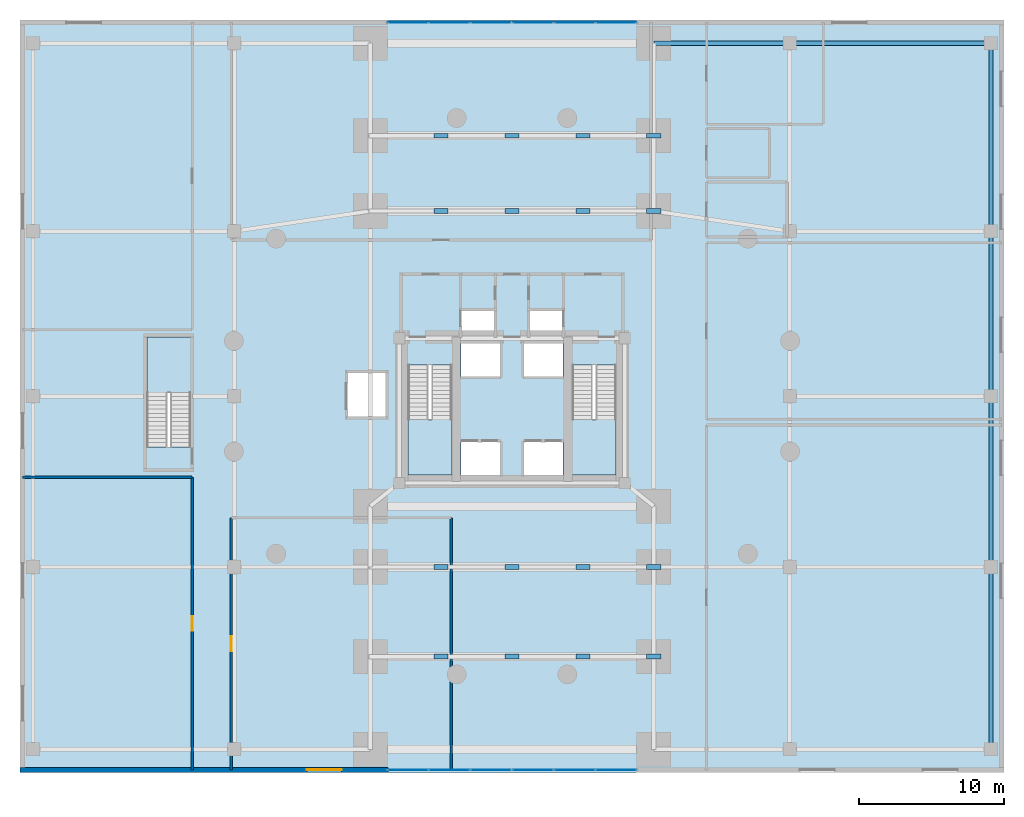
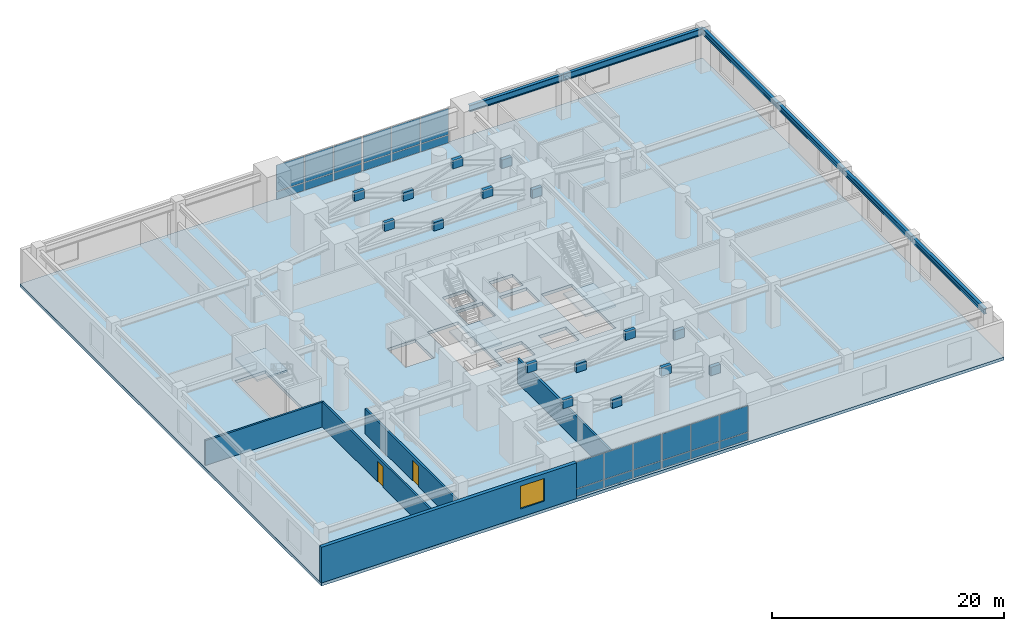
# One storey, part 13 of 17: 40 plates, 6 beams, 5 walls, 4 slabs, 2 doors, 1 window, 3 openings, 7 elements without a shape of their own.
"""IFC4 building model written with IfcOpenShell, lengths in metres."""

import ifcopenshell
import ifcopenshell.guid

model = None  # the IFC model being written
_history = None  # IfcOwnerHistory: only IFC2X3 demands one
_inside = {}  # id of a spatial element -> (the spatial element, [elements in it])
_under = {}  # id of a project, library or spatial element -> (it, [spatial elements below it])
_declared = {}  # id of a project -> (the project, [libraries it declares])
_typed = {}  # id of a type object -> (the type object, [elements of that type])
_made_of = {}  # id of a material, layer set ... -> (it, [elements and type objects made of it])


def new_model(schema):
    """Start an empty IFC model of exactly this schema.

    Asked for "IFC4X3", IfcOpenShell would pick the latest addendum, in which some entities
    have other attributes; the version numbers below select the first issue.
    IFC2X3 requires an IfcOwnerHistory on every rooted entity: one is made here for all.
    """
    global model, _history
    if schema == "IFC4X3":
        model = ifcopenshell.file(schema_version=(4, 3, 0, 0))
    else:
        model = ifcopenshell.file(schema=schema)
    _inside.clear()
    _under.clear()
    _declared.clear()
    _typed.clear()
    _made_of.clear()
    _history = None
    if model.schema == "IFC2X3":
        org = make("IfcOrganization", Name="unknown")
        user = make(
            "IfcPersonAndOrganization",
            ThePerson=make("IfcPerson", FamilyName="unknown"),
            TheOrganization=org,
        )
        app = make(
            "IfcApplication",
            ApplicationDeveloper=org,
            Version="unknown",
            ApplicationFullName="unknown",
            ApplicationIdentifier="unknown",
        )
        _history = make(
            "IfcOwnerHistory",
            OwningUser=user,
            OwningApplication=app,
            ChangeAction="ADDED",
            CreationDate=0,
        )
    return model


def make(cls, **values):
    """One entity of the class cls with the attributes given. An attribute that is None is left unset."""
    return model.create_entity(
        cls, **{name: value for name, value in values.items() if value is not None}
    )


def rooted(cls, **values):
    """An entity with a GlobalId (a new one), such as an element, a storey or a relation."""
    return make(cls, GlobalId=ifcopenshell.guid.new(), OwnerHistory=_history, **values)


def si_unit(unit_type, name, prefix=None):
    """IfcSIUnit, for example si_unit("LENGTHUNIT", "METRE", prefix="MILLI")."""
    return make("IfcSIUnit", UnitType=unit_type, Prefix=prefix, Name=name)


def assignment(units):
    """IfcUnitAssignment: the units of a project."""
    return None if units is None else make("IfcUnitAssignment", Units=units)


def point(xyz):
    """IfcCartesianPoint."""
    return None if xyz is None else make("IfcCartesianPoint", Coordinates=xyz)


def direction(xyz):
    """IfcDirection."""
    return None if xyz is None else make("IfcDirection", DirectionRatios=xyz)


def frame(location, z_axis=None, x_axis=None):
    """IfcAxis2Placement3D, a coordinate frame: its origin and axes. An axis left out is left unset."""
    return make(
        "IfcAxis2Placement3D",
        Location=point(location),
        Axis=direction(z_axis),
        RefDirection=direction(x_axis),
    )


def frame_2d(location, x_axis=None):
    """IfcAxis2Placement2D, a coordinate frame in the plane: its origin and x axis."""
    return make(
        "IfcAxis2Placement2D", Location=point(location), RefDirection=direction(x_axis)
    )


def origin():
    """The frame at (0, 0, 0) with its axes left unset."""
    return frame((0.0, 0.0, 0.0))


def origin_2d():
    """The frame at (0, 0) in the plane with its x axis left unset."""
    return frame_2d((0.0, 0.0))


def place(relative_to, where):
    """IfcLocalPlacement: puts the frame where relative to a parent placement (None: the world)."""
    return make(
        "IfcLocalPlacement", PlacementRelTo=relative_to, RelativePlacement=where
    )


def context(
    kind, dimensions, precision=None, world=None, true_north=None, identifier=None
):
    """IfcGeometricRepresentationContext, for example the 3D "Model" context."""
    return make(
        "IfcGeometricRepresentationContext",
        ContextIdentifier=identifier,
        ContextType=kind,
        CoordinateSpaceDimension=dimensions,
        Precision=precision,
        WorldCoordinateSystem=world,
        TrueNorth=true_north,
    )


def subcontext(parent, identifier, kind, view, scale=None):
    """IfcGeometricRepresentationSubContext, for example "Body" below "Model"."""
    return make(
        "IfcGeometricRepresentationSubContext",
        ContextIdentifier=identifier,
        ContextType=kind,
        ParentContext=parent,
        TargetScale=scale,
        TargetView=view,
    )


def project(units=None, contexts=None):
    """IfcProject with its units and contexts."""
    return rooted(
        "IfcProject",
        Name="project",
        RepresentationContexts=contexts,
        UnitsInContext=assignment(units),
    )


def spatial(cls, under=None, at=None, **own):
    """A site, building, storey or space (cls), placed at a placement, below another one or the project."""
    s = rooted(cls, ObjectPlacement=at, **own)
    if under is not None:
        _under.setdefault(under.id(), (under, []))[1].append(s)
    return s


def polyline(points):
    """IfcPolyline through the points."""
    return make("IfcPolyline", Points=[point(p) for p in points])


def profile(cls, at=None, kind="AREA", **sizes):
    """A parametric profile (cls). Its sizes go by their IFC names, for example OverallWidth=200.0."""
    return make(cls, ProfileType=kind, Position=at, **sizes)


def rectangle(**sizes):
    """IfcRectangleProfileDef."""
    return profile("IfcRectangleProfileDef", **sizes)


def i_section(**sizes):
    """IfcIShapeProfileDef."""
    return profile("IfcIShapeProfileDef", **sizes)


def outline(outer, holes=None, kind="AREA"):
    """IfcArbitraryClosedProfileDef: a profile drawn as a closed curve; with holes, ...WithVoids."""
    if holes is None:
        return make("IfcArbitraryClosedProfileDef", ProfileType=kind, OuterCurve=outer)
    return make(
        "IfcArbitraryProfileDefWithVoids",
        ProfileType=kind,
        OuterCurve=outer,
        InnerCurves=holes,
    )


def extrude(swept, where, along, depth):
    """IfcExtrudedAreaSolid: the profile swept, set in the frame where, extruded along a direction by depth."""
    return make(
        "IfcExtrudedAreaSolid",
        SweptArea=swept,
        Position=where,
        ExtrudedDirection=direction(along),
        Depth=depth,
    )


def shape(context_of_items, identifier, shape_type, items):
    """IfcShapeRepresentation: the items that make up one representation, for example the "Body"."""
    return make(
        "IfcShapeRepresentation",
        ContextOfItems=context_of_items,
        RepresentationIdentifier=identifier,
        RepresentationType=shape_type,
        Items=items,
    )


def material(Name=None, Category=None):
    """IfcMaterial."""
    return make("IfcMaterial", Name=Name, Category=Category)


def layer(
    of_material, thickness, ventilated=None, Name=None, Category=None, Priority=None
):
    """IfcMaterialLayer: one layer of a wall or slab, of a material (None: an air gap)."""
    return make(
        "IfcMaterialLayer",
        Material=of_material,
        LayerThickness=thickness,
        IsVentilated=ventilated,
        Name=Name,
        Category=Category,
        Priority=Priority,
    )


def layer_set(layers, Name=None):
    """IfcMaterialLayerSet."""
    return make("IfcMaterialLayerSet", MaterialLayers=layers, LayerSetName=Name)


def material_profile(
    of_material, cross_section, Name=None, Category=None, Priority=None
):
    """IfcMaterialProfile: a cross section and its material."""
    return make(
        "IfcMaterialProfile",
        Name=Name,
        Material=of_material,
        Profile=cross_section,
        Priority=Priority,
        Category=Category,
    )


def profile_set(profiles, Name=None, composite=None):
    """IfcMaterialProfileSet."""
    return make(
        "IfcMaterialProfileSet",
        Name=Name,
        MaterialProfiles=profiles,
        CompositeProfile=composite,
    )


def made_of(thing, what):
    """Note that an element or type object is made of a material, layer set ...; save() writes the relation."""
    if what is not None:
        _made_of.setdefault(what.id(), (what, []))[1].append(thing)
    return thing


def type_object(cls, material=None, **own):
    """A type object (cls), such as IfcWallType, which elements share."""
    return made_of(rooted(cls, **own), material)


def element(
    cls,
    number,
    at=None,
    inside=None,
    cuts=None,
    type_object=None,
    material=None,
    context=None,
    identifier="Body",
    shape_type=None,
    held_by="IfcProductDefinitionShape",
    body=None,
    shapes=None,
    **own,
):
    """One element of the class cls, such as IfcWall. Its Tag is "e" and its number.

    at: its placement. inside: the storey or other place that contains it. cuts: it is an
    opening in that element (IfcRelVoidsElement). A single representation is given by context,
    identifier, shape_type and body (its items); several are given by shapes. held_by: the class
    of the entity that holds the representations. save() writes the other relations.
    """
    e = rooted(cls, Tag="e%d" % number, ObjectPlacement=at, **own)
    if body is not None:
        shapes = [shape(context, identifier, shape_type, body)]
    if shapes is not None:
        e.Representation = make(held_by, Representations=shapes)
    if inside is not None:
        _inside.setdefault(inside.id(), (inside, []))[1].append(e)
    if cuts is not None:
        rooted(
            "IfcRelVoidsElement", RelatingBuildingElement=cuts, RelatedOpeningElement=e
        )
    if type_object is not None:
        _typed.setdefault(type_object.id(), (type_object, []))[1].append(e)
    return made_of(e, material)


def fill(opening, filler):
    """IfcRelFillsElement: the door or window that sits in an opening."""
    return rooted(
        "IfcRelFillsElement",
        RelatingOpeningElement=opening,
        RelatedBuildingElement=filler,
    )


def aggregate(whole, parts):
    """IfcRelAggregates: a whole, such as a stair, and the parts it consists of."""
    return rooted("IfcRelAggregates", RelatingObject=whole, RelatedObjects=parts)


def save(model, path):
    """Write the relations noted so far, then the file.

    IfcRelAggregates (storeys below a building ...), IfcRelContainedInSpatialStructure (elements
    in a storey), IfcRelDefinesByType, IfcRelAssociatesMaterial and IfcRelDeclares: one each for
    every whole, place, type object, material and project.
    """
    for whole, parts in _under.values():
        aggregate(whole, parts)
    for where, things in _inside.values():
        rooted(
            "IfcRelContainedInSpatialStructure",
            RelatedElements=things,
            RelatingStructure=where,
        )
    for kind, things in _typed.values():
        rooted("IfcRelDefinesByType", RelatedObjects=things, RelatingType=kind)
    for what, things in _made_of.values():
        rooted("IfcRelAssociatesMaterial", RelatedObjects=things, RelatingMaterial=what)
    for by, libraries in _declared.values():
        rooted("IfcRelDeclares", RelatingContext=by, RelatedDefinitions=libraries)
    model.write(path)


model = new_model("IFC4")

# Units and contexts
model_context = context("Model", 3, precision=1e-05, world=origin(), true_north=direction((0.0, 1.0)))
body_context = subcontext(model_context, "Body", "Model", "MODEL_VIEW")
ifc_project = project(units=[si_unit("LENGTHUNIT", "METRE"), si_unit("AREAUNIT", "SQUARE_METRE"), si_unit("VOLUMEUNIT", "CUBIC_METRE"), si_unit("PLANEANGLEUNIT", "RADIAN"), si_unit("MASSUNIT", "GRAM", prefix="KILO"), si_unit("THERMODYNAMICTEMPERATUREUNIT", "KELVIN"), si_unit("POWERUNIT", "WATT")], contexts=[model_context])

# Site, building, storey
site_placement = place(None, origin())
site = spatial("IfcSite", under=ifc_project, at=site_placement, CompositionType="ELEMENT")
building_placement = place(site_placement, origin())
building = spatial("IfcBuilding", under=site, at=building_placement, Name="Ocrelia Relay Tower", CompositionType="ELEMENT")
storey_placement = place(building_placement, frame((0.0, 0.0, 15.60009765625)))
storey = spatial("IfcBuildingStorey", under=building, at=storey_placement, Name="L03", CompositionType="ELEMENT", Elevation=15.60009765625)

# Beams
ifc_material_1 = material(Name="Steel S355", Category="steel")
ifc_material_profile_1 = material_profile(ifc_material_1, i_section(OverallWidth=0.300048828125, OverallDepth=0.60009765625, WebThickness=0.015380859375, FlangeThickness=0.030029296875, FilletRadius=0.027099609375, at=origin_2d()), Name="HEB 600")
ifc_profile_set_1 = profile_set([ifc_material_profile_1], Name="Steel S355")
beam_type_1 = type_object("IfcBeamType", Name="BM-HEB600", PredefinedType="BEAM", material=ifc_profile_set_1)
beam_1_placement = place(storey_placement, frame((67.10009765625, 1.60009765625, 4.179931640625), z_axis=(0.0, 1.0, 0.0), x_axis=(-1.0, 0.0, 0.0)))
element("IfcBeam", 1, at=beam_1_placement, inside=storey, type_object=beam_type_1, Name="L03 Podium Span Girder E-1", PredefinedType="BEAM", context=body_context, shape_type="SweptSolid", body=[
    extrude(i_section(OverallWidth=0.300048828125, OverallDepth=0.60009765625, WebThickness=0.015380859375, FlangeThickness=0.030029296875, FilletRadius=0.027099609375, at=origin_2d()), origin(), (0.0, 0.0, 1.0), 12.599853515625),
])
beam_2_placement = place(storey_placement, frame((67.10009765625, 14.199951171875, 4.179931640625), z_axis=(0.0, 1.0, 0.0), x_axis=(-1.0, 0.0, 0.0)))
element("IfcBeam", 2, at=beam_2_placement, inside=storey, type_object=beam_type_1, Name="L03 Podium Span Girder E-2", PredefinedType="BEAM", context=body_context, shape_type="SweptSolid", body=[
    extrude(i_section(OverallWidth=0.300048828125, OverallDepth=0.60009765625, WebThickness=0.015380859375, FlangeThickness=0.030029296875, FilletRadius=0.027099609375, at=origin_2d()), origin(), (0.0, 0.0, 1.0), 11.800048828125),
])
beam_3_placement = place(storey_placement, frame((67.10009765625, 26.0, 4.179931640625), z_axis=(0.0, 1.0, 0.0), x_axis=(-1.0, 0.0, 0.0)))
element("IfcBeam", 3, at=beam_3_placement, inside=storey, type_object=beam_type_1, Name="L03 Podium Span Girder E-3", PredefinedType="BEAM", context=body_context, shape_type="SweptSolid", body=[
    extrude(i_section(OverallWidth=0.300048828125, OverallDepth=0.60009765625, WebThickness=0.015380859375, FlangeThickness=0.030029296875, FilletRadius=0.027099609375, at=origin_2d()), origin(), (0.0, 0.0, 1.0), 11.39990234375),
])
beam_4_placement = place(storey_placement, frame((67.10009765625, 37.39990234375, 4.179931640625), z_axis=(0.0, 1.0, 0.0), x_axis=(-1.0, 0.0, 0.0)))
element("IfcBeam", 4, at=beam_4_placement, inside=storey, type_object=beam_type_1, Name="L03 Podium Span Girder E-4", PredefinedType="BEAM", context=body_context, shape_type="SweptSolid", body=[
    extrude(i_section(OverallWidth=0.300048828125, OverallDepth=0.60009765625, WebThickness=0.015380859375, FlangeThickness=0.030029296875, FilletRadius=0.027099609375, at=origin_2d()), origin(), (0.0, 0.0, 1.0), 13.0),
])
ifc_material_profile_2 = material_profile(ifc_material_1, i_section(OverallWidth=0.300048828125, OverallDepth=0.699951171875, WebThickness=0.01708984375, FlangeThickness=0.031982421875, FilletRadius=0.027099609375, at=origin_2d()), Name="HEB 700")
ifc_profile_set_2 = profile_set([ifc_material_profile_2], Name="Steel S355")
beam_type_2 = type_object("IfcBeamType", Name="BM-HEB700", PredefinedType="BEAM", material=ifc_profile_set_2)
beam_5_placement = place(storey_placement, frame((43.800048828125, 50.39990234375, 4.1298828125), z_axis=(1.0, 0.0, 0.0), x_axis=(0.0, 1.0, 0.0)))
element("IfcBeam", 5, at=beam_5_placement, inside=storey, type_object=beam_type_2, Name="L03 East Inner Podium Girder N", PredefinedType="BEAM", context=body_context, shape_type="SweptSolid", body=[
    extrude(i_section(OverallWidth=0.300048828125, OverallDepth=0.699951171875, WebThickness=0.01708984375, FlangeThickness=0.031982421875, FilletRadius=0.027099609375, at=origin_2d()), origin(), (0.0, 0.0, 1.0), 9.39990234375),
])
beam_6_placement = place(storey_placement, frame((53.199951171875, 50.39990234375, 4.1298828125), z_axis=(1.0, 0.0, 0.0), x_axis=(0.0, 1.0, 0.0)))
element("IfcBeam", 6, at=beam_6_placement, inside=storey, type_object=beam_type_2, Name="L03 East Outer Podium Girder N", PredefinedType="BEAM", context=body_context, shape_type="SweptSolid", body=[
    extrude(i_section(OverallWidth=0.300048828125, OverallDepth=0.699951171875, WebThickness=0.01708984375, FlangeThickness=0.031982421875, FilletRadius=0.027099609375, at=origin_2d()), origin(), (0.0, 0.0, 1.0), 13.900146484375),
])

# Curtain wall, plates
ifc_material_2 = material(Name="Aluminium and solar-control low-E glass", Category="aluminium")
ifc_layer_1 = layer(ifc_material_2, 0.179931640625, Name="Aluminium and solar-control low-E glass")
ifc_layer_set_1 = layer_set([ifc_layer_1], Name="Aluminium and solar-control low-E glass")
curtain_wall_type = type_object("IfcCurtainWallType", Name="CW-SYS-POD-GALL", PredefinedType="NOTDEFINED", material=ifc_layer_set_1)
curtain_wall_1_placement = place(storey_placement, origin())
curtain_wall_1 = element("IfcCurtainWall", 7, at=curtain_wall_1_placement, inside=storey, type_object=curtain_wall_type, Name="L03 South Over-Arch Curtain Wall West", PredefinedType="NOTDEFINED")
ifc_material_3 = material(Name="Clear double-glazed low-E glass", Category="glass")
ifc_layer_2 = layer(ifc_material_3, 0.031982421875, Name="Clear double-glazed low-E glass")
ifc_layer_set_2 = layer_set([ifc_layer_2], Name="Clear double-glazed low-E glass")
plate_type_1 = type_object("IfcPlateType", Name="CW-SYS-POD-GALL-PNL", PredefinedType="CURTAIN_PANEL", material=ifc_layer_set_2)
plate_1_placement = place(storey_placement, frame((26.80908203125, 0.179931640625, 0.06494140625), z_axis=(0.0, 0.0, 1.0), x_axis=(1.0, 0.0, 0.0)))
plate_1 = element("IfcPlate", 8, at=plate_1_placement, type_object=plate_type_1, Name="CW-PG panel 1.1", PredefinedType="CURTAIN_PANEL", context=body_context, shape_type="SweptSolid", body=[
    extrude(rectangle(XDim=2.7783203125, YDim=0.031982421875, at=origin_2d()), origin(), (0.0, 0.0, 1.0), 0.802490234375),
])
plate_2_placement = place(storey_placement, frame((26.80908203125, 0.179931640625, 0.9326171875), z_axis=(0.0, 0.0, 1.0), x_axis=(1.0, 0.0, 0.0)))
plate_2 = element("IfcPlate", 9, at=plate_2_placement, type_object=plate_type_1, Name="CW-PG panel 1.2", PredefinedType="CURTAIN_PANEL", context=body_context, shape_type="SweptSolid", body=[
    extrude(rectangle(XDim=2.7783203125, YDim=0.031982421875, at=origin_2d()), origin(), (0.0, 0.0, 1.0), 2.762451171875),
])
plate_3_placement = place(storey_placement, frame((29.675048828125, 0.179931640625, 0.06494140625), z_axis=(0.0, 0.0, 1.0), x_axis=(1.0, 0.0, 0.0)))
plate_3 = element("IfcPlate", 10, at=plate_3_placement, type_object=plate_type_1, Name="CW-PG panel 2.1", PredefinedType="CURTAIN_PANEL", context=body_context, shape_type="SweptSolid", body=[
    extrude(rectangle(XDim=2.813232421875, YDim=0.031982421875, at=origin_2d()), origin(), (0.0, 0.0, 1.0), 0.802490234375),
])
plate_4_placement = place(storey_placement, frame((29.675048828125, 0.179931640625, 0.9326171875), z_axis=(0.0, 0.0, 1.0), x_axis=(1.0, 0.0, 0.0)))
plate_4 = element("IfcPlate", 11, at=plate_4_placement, type_object=plate_type_1, Name="CW-PG panel 2.2", PredefinedType="CURTAIN_PANEL", context=body_context, shape_type="SweptSolid", body=[
    extrude(rectangle(XDim=2.813232421875, YDim=0.031982421875, at=origin_2d()), origin(), (0.0, 0.0, 1.0), 2.762451171875),
])
plate_5_placement = place(storey_placement, frame((32.540771484375, 0.179931640625, 0.06494140625), z_axis=(0.0, 0.0, 1.0), x_axis=(1.0, 0.0, 0.0)))
plate_5 = element("IfcPlate", 12, at=plate_5_placement, type_object=plate_type_1, Name="CW-PG panel 3.1", PredefinedType="CURTAIN_PANEL", context=body_context, shape_type="SweptSolid", body=[
    extrude(rectangle(XDim=2.7783203125, YDim=0.031982421875, at=origin_2d()), origin(), (0.0, 0.0, 1.0), 0.802490234375),
])
plate_6_placement = place(storey_placement, frame((32.540771484375, 0.179931640625, 0.9326171875), z_axis=(0.0, 0.0, 1.0), x_axis=(1.0, 0.0, 0.0)))
plate_6 = element("IfcPlate", 13, at=plate_6_placement, type_object=plate_type_1, Name="CW-PG panel 3.2", PredefinedType="CURTAIN_PANEL", context=body_context, shape_type="SweptSolid", body=[
    extrude(rectangle(XDim=2.7783203125, YDim=0.031982421875, at=origin_2d()), origin(), (0.0, 0.0, 1.0), 2.762451171875),
])
aggregate(curtain_wall_1, [plate_1, plate_2, plate_3, plate_4, plate_5, plate_6])

curtain_wall_2_placement = place(storey_placement, origin())
curtain_wall_2 = element("IfcCurtainWall", 14, at=curtain_wall_2_placement, inside=storey, type_object=curtain_wall_type, Name="L03 South Over-Arch Curtain Wall East", PredefinedType="NOTDEFINED")
plate_7_placement = place(storey_placement, frame((35.459228515625, 0.179931640625, 0.06494140625), z_axis=(0.0, 0.0, 1.0), x_axis=(1.0, 0.0, 0.0)))
plate_7 = element("IfcPlate", 15, at=plate_7_placement, type_object=plate_type_1, Name="CW-PG panel 1.1", PredefinedType="CURTAIN_PANEL", context=body_context, shape_type="SweptSolid", body=[
    extrude(rectangle(XDim=2.7783203125, YDim=0.031982421875, at=origin_2d()), origin(), (0.0, 0.0, 1.0), 0.802490234375),
])
plate_8_placement = place(storey_placement, frame((35.459228515625, 0.179931640625, 0.9326171875), z_axis=(0.0, 0.0, 1.0), x_axis=(1.0, 0.0, 0.0)))
plate_8 = element("IfcPlate", 16, at=plate_8_placement, type_object=plate_type_1, Name="CW-PG panel 1.2", PredefinedType="CURTAIN_PANEL", context=body_context, shape_type="SweptSolid", body=[
    extrude(rectangle(XDim=2.7783203125, YDim=0.031982421875, at=origin_2d()), origin(), (0.0, 0.0, 1.0), 2.762451171875),
])
plate_9_placement = place(storey_placement, frame((38.324951171875, 0.179931640625, 0.06494140625), z_axis=(0.0, 0.0, 1.0), x_axis=(1.0, 0.0, 0.0)))
plate_9 = element("IfcPlate", 17, at=plate_9_placement, type_object=plate_type_1, Name="CW-PG panel 2.1", PredefinedType="CURTAIN_PANEL", context=body_context, shape_type="SweptSolid", body=[
    extrude(rectangle(XDim=2.813232421875, YDim=0.031982421875, at=origin_2d()), origin(), (0.0, 0.0, 1.0), 0.802490234375),
])
plate_10_placement = place(storey_placement, frame((38.324951171875, 0.179931640625, 0.9326171875), z_axis=(0.0, 0.0, 1.0), x_axis=(1.0, 0.0, 0.0)))
plate_10 = element("IfcPlate", 18, at=plate_10_placement, type_object=plate_type_1, Name="CW-PG panel 2.2", PredefinedType="CURTAIN_PANEL", context=body_context, shape_type="SweptSolid", body=[
    extrude(rectangle(XDim=2.813232421875, YDim=0.031982421875, at=origin_2d()), origin(), (0.0, 0.0, 1.0), 2.762451171875),
])
plate_11_placement = place(storey_placement, frame((41.19091796875, 0.179931640625, 0.06494140625), z_axis=(0.0, 0.0, 1.0), x_axis=(1.0, 0.0, 0.0)))
plate_11 = element("IfcPlate", 19, at=plate_11_placement, type_object=plate_type_1, Name="CW-PG panel 3.1", PredefinedType="CURTAIN_PANEL", context=body_context, shape_type="SweptSolid", body=[
    extrude(rectangle(XDim=2.7783203125, YDim=0.031982421875, at=origin_2d()), origin(), (0.0, 0.0, 1.0), 0.802490234375),
])
plate_12_placement = place(storey_placement, frame((41.19091796875, 0.179931640625, 0.9326171875), z_axis=(0.0, 0.0, 1.0), x_axis=(1.0, 0.0, 0.0)))
plate_12 = element("IfcPlate", 20, at=plate_12_placement, type_object=plate_type_1, Name="CW-PG panel 3.2", PredefinedType="CURTAIN_PANEL", context=body_context, shape_type="SweptSolid", body=[
    extrude(rectangle(XDim=2.7783203125, YDim=0.031982421875, at=origin_2d()), origin(), (0.0, 0.0, 1.0), 2.762451171875),
])
aggregate(curtain_wall_2, [plate_7, plate_8, plate_9, plate_10, plate_11, plate_12])

curtain_wall_3_placement = place(storey_placement, origin())
curtain_wall_3 = element("IfcCurtainWall", 21, at=curtain_wall_3_placement, inside=storey, type_object=curtain_wall_type, Name="L03 North Over-Arch Curtain Wall West", PredefinedType="NOTDEFINED")
plate_13_placement = place(storey_placement, frame((26.80908203125, 51.820068359375, 0.06494140625), z_axis=(0.0, 0.0, 1.0), x_axis=(1.0, 0.0, 0.0)))
plate_13 = element("IfcPlate", 22, at=plate_13_placement, type_object=plate_type_1, Name="CW-PG panel 1.1", PredefinedType="CURTAIN_PANEL", context=body_context, shape_type="SweptSolid", body=[
    extrude(rectangle(XDim=2.7783203125, YDim=0.031982421875, at=origin_2d()), origin(), (0.0, 0.0, 1.0), 0.802490234375),
])
plate_14_placement = place(storey_placement, frame((26.80908203125, 51.820068359375, 0.9326171875), z_axis=(0.0, 0.0, 1.0), x_axis=(1.0, 0.0, 0.0)))
plate_14 = element("IfcPlate", 23, at=plate_14_placement, type_object=plate_type_1, Name="CW-PG panel 1.2", PredefinedType="CURTAIN_PANEL", context=body_context, shape_type="SweptSolid", body=[
    extrude(rectangle(XDim=2.7783203125, YDim=0.031982421875, at=origin_2d()), origin(), (0.0, 0.0, 1.0), 2.762451171875),
])
plate_15_placement = place(storey_placement, frame((29.675048828125, 51.820068359375, 0.06494140625), z_axis=(0.0, 0.0, 1.0), x_axis=(1.0, 0.0, 0.0)))
plate_15 = element("IfcPlate", 24, at=plate_15_placement, type_object=plate_type_1, Name="CW-PG panel 2.1", PredefinedType="CURTAIN_PANEL", context=body_context, shape_type="SweptSolid", body=[
    extrude(rectangle(XDim=2.813232421875, YDim=0.031982421875, at=origin_2d()), origin(), (0.0, 0.0, 1.0), 0.802490234375),
])
plate_16_placement = place(storey_placement, frame((29.675048828125, 51.820068359375, 0.9326171875), z_axis=(0.0, 0.0, 1.0), x_axis=(1.0, 0.0, 0.0)))
plate_16 = element("IfcPlate", 25, at=plate_16_placement, type_object=plate_type_1, Name="CW-PG panel 2.2", PredefinedType="CURTAIN_PANEL", context=body_context, shape_type="SweptSolid", body=[
    extrude(rectangle(XDim=2.813232421875, YDim=0.031982421875, at=origin_2d()), origin(), (0.0, 0.0, 1.0), 2.762451171875),
])
plate_17_placement = place(storey_placement, frame((32.540771484375, 51.820068359375, 0.06494140625), z_axis=(0.0, 0.0, 1.0), x_axis=(1.0, 0.0, 0.0)))
plate_17 = element("IfcPlate", 26, at=plate_17_placement, type_object=plate_type_1, Name="CW-PG panel 3.1", PredefinedType="CURTAIN_PANEL", context=body_context, shape_type="SweptSolid", body=[
    extrude(rectangle(XDim=2.7783203125, YDim=0.031982421875, at=origin_2d()), origin(), (0.0, 0.0, 1.0), 0.802490234375),
])
plate_18_placement = place(storey_placement, frame((32.540771484375, 51.820068359375, 0.9326171875), z_axis=(0.0, 0.0, 1.0), x_axis=(1.0, 0.0, 0.0)))
plate_18 = element("IfcPlate", 27, at=plate_18_placement, type_object=plate_type_1, Name="CW-PG panel 3.2", PredefinedType="CURTAIN_PANEL", context=body_context, shape_type="SweptSolid", body=[
    extrude(rectangle(XDim=2.7783203125, YDim=0.031982421875, at=origin_2d()), origin(), (0.0, 0.0, 1.0), 2.762451171875),
])
aggregate(curtain_wall_3, [plate_13, plate_14, plate_15, plate_16, plate_17, plate_18])

curtain_wall_4_placement = place(storey_placement, origin())
curtain_wall_4 = element("IfcCurtainWall", 28, at=curtain_wall_4_placement, inside=storey, type_object=curtain_wall_type, Name="L03 North Over-Arch Curtain Wall East", PredefinedType="NOTDEFINED")
plate_19_placement = place(storey_placement, frame((35.459228515625, 51.820068359375, 0.06494140625), z_axis=(0.0, 0.0, 1.0), x_axis=(1.0, 0.0, 0.0)))
plate_19 = element("IfcPlate", 29, at=plate_19_placement, type_object=plate_type_1, Name="CW-PG panel 1.1", PredefinedType="CURTAIN_PANEL", context=body_context, shape_type="SweptSolid", body=[
    extrude(rectangle(XDim=2.7783203125, YDim=0.031982421875, at=origin_2d()), origin(), (0.0, 0.0, 1.0), 0.802490234375),
])
plate_20_placement = place(storey_placement, frame((35.459228515625, 51.820068359375, 0.9326171875), z_axis=(0.0, 0.0, 1.0), x_axis=(1.0, 0.0, 0.0)))
plate_20 = element("IfcPlate", 30, at=plate_20_placement, type_object=plate_type_1, Name="CW-PG panel 1.2", PredefinedType="CURTAIN_PANEL", context=body_context, shape_type="SweptSolid", body=[
    extrude(rectangle(XDim=2.7783203125, YDim=0.031982421875, at=origin_2d()), origin(), (0.0, 0.0, 1.0), 2.762451171875),
])
plate_21_placement = place(storey_placement, frame((38.324951171875, 51.820068359375, 0.06494140625), z_axis=(0.0, 0.0, 1.0), x_axis=(1.0, 0.0, 0.0)))
plate_21 = element("IfcPlate", 31, at=plate_21_placement, type_object=plate_type_1, Name="CW-PG panel 2.1", PredefinedType="CURTAIN_PANEL", context=body_context, shape_type="SweptSolid", body=[
    extrude(rectangle(XDim=2.813232421875, YDim=0.031982421875, at=origin_2d()), origin(), (0.0, 0.0, 1.0), 0.802490234375),
])
plate_22_placement = place(storey_placement, frame((38.324951171875, 51.820068359375, 0.9326171875), z_axis=(0.0, 0.0, 1.0), x_axis=(1.0, 0.0, 0.0)))
plate_22 = element("IfcPlate", 32, at=plate_22_placement, type_object=plate_type_1, Name="CW-PG panel 2.2", PredefinedType="CURTAIN_PANEL", context=body_context, shape_type="SweptSolid", body=[
    extrude(rectangle(XDim=2.813232421875, YDim=0.031982421875, at=origin_2d()), origin(), (0.0, 0.0, 1.0), 2.762451171875),
])
plate_23_placement = place(storey_placement, frame((41.19091796875, 51.820068359375, 0.06494140625), z_axis=(0.0, 0.0, 1.0), x_axis=(1.0, 0.0, 0.0)))
plate_23 = element("IfcPlate", 33, at=plate_23_placement, type_object=plate_type_1, Name="CW-PG panel 3.1", PredefinedType="CURTAIN_PANEL", context=body_context, shape_type="SweptSolid", body=[
    extrude(rectangle(XDim=2.7783203125, YDim=0.031982421875, at=origin_2d()), origin(), (0.0, 0.0, 1.0), 0.802490234375),
])
plate_24_placement = place(storey_placement, frame((41.19091796875, 51.820068359375, 0.9326171875), z_axis=(0.0, 0.0, 1.0), x_axis=(1.0, 0.0, 0.0)))
plate_24 = element("IfcPlate", 34, at=plate_24_placement, type_object=plate_type_1, Name="CW-PG panel 3.2", PredefinedType="CURTAIN_PANEL", context=body_context, shape_type="SweptSolid", body=[
    extrude(rectangle(XDim=2.7783203125, YDim=0.031982421875, at=origin_2d()), origin(), (0.0, 0.0, 1.0), 2.762451171875),
])
aggregate(curtain_wall_4, [plate_19, plate_20, plate_21, plate_22, plate_23, plate_24])

# Plates
ifc_layer_3 = layer(ifc_material_1, 0.035888671875, Name="Steel S355")
ifc_layer_set_3 = layer_set([ifc_layer_3], Name="Steel S355")
plate_type_2 = type_object("IfcPlateType", Name="PL-NODE-ND-02", PredefinedType="USERDEFINED", material=ifc_layer_set_3)
for number, where, z_axis, x_axis, name in (
    (35, (29.10009765625, 8.0, 3.579833984375), (0.0, 0.0, 1.0), (1.0, 0.0, 0.0), "L03 Warren Truss Node Plate ND-02 (S-1)"),
    (36, (34.0, 8.0, 1.89990234375), (0.0, 0.0, 1.0), (1.0, 0.0, 0.0), "L03 Warren Truss Node Plate ND-02 (S-2)"),
    (37, (38.89990234375, 8.0, 3.579833984375), (0.0, 0.0, 1.0), (1.0, 0.0, 0.0), "L03 Warren Truss Node Plate ND-02 (S-3)"),
    (38, (43.800048828125, 8.0, 1.89990234375), (0.0, 0.0, 1.0), (1.0, 0.0, 0.0), "L03 Warren Truss Node Plate ND-02 (S-4)"),
    (39, (29.10009765625, 14.199951171875, 3.579833984375), (0.0, 0.0, 1.0), (1.0, 0.0, 0.0), "L03 Warren Truss Node Plate ND-02 (SI-1)"),
    (40, (34.0, 14.199951171875, 1.89990234375), (0.0, 0.0, 1.0), (1.0, 0.0, 0.0), "L03 Warren Truss Node Plate ND-02 (SI-2)"),
    (41, (38.89990234375, 14.199951171875, 3.579833984375), (0.0, 0.0, 1.0), (1.0, 0.0, 0.0), "L03 Warren Truss Node Plate ND-02 (SI-3)"),
    (42, (43.800048828125, 14.199951171875, 1.89990234375), (0.0, 0.0, 1.0), (1.0, 0.0, 0.0), "L03 Warren Truss Node Plate ND-02 (SI-4)"),
    (43, (29.10009765625, 38.800048828125, 3.579833984375), (0.0, 0.0, 1.0), (1.0, 0.0, 0.0), "L03 Warren Truss Node Plate ND-02 (NI-1)"),
    (44, (34.0, 38.800048828125, 1.89990234375), (0.0, 0.0, 1.0), (1.0, 0.0, 0.0), "L03 Warren Truss Node Plate ND-02 (NI-2)"),
    (45, (38.89990234375, 38.800048828125, 3.579833984375), (0.0, 0.0, 1.0), (1.0, 0.0, 0.0), "L03 Warren Truss Node Plate ND-02 (NI-3)"),
    (46, (43.800048828125, 38.800048828125, 1.89990234375), (0.0, 0.0, 1.0), (1.0, 0.0, 0.0), "L03 Warren Truss Node Plate ND-02 (NI-4)"),
    (47, (29.10009765625, 44.0, 3.579833984375), (0.0, 0.0, 1.0), (1.0, 0.0, 0.0), "L03 Warren Truss Node Plate ND-02 (N-1)"),
    (48, (34.0, 44.0, 1.89990234375), (0.0, 0.0, 1.0), (1.0, 0.0, 0.0), "L03 Warren Truss Node Plate ND-02 (N-2)"),
    (49, (38.89990234375, 44.0, 3.579833984375), (0.0, 0.0, 1.0), (1.0, 0.0, 0.0), "L03 Warren Truss Node Plate ND-02 (N-3)"),
    (50, (43.800048828125, 44.0, 1.89990234375), (0.0, 0.0, 1.0), (1.0, 0.0, 0.0), "L03 Warren Truss Node Plate ND-02 (N-4)"),
):
    element("IfcPlate", number, at=place(storey_placement, frame(where, z_axis=z_axis, x_axis=x_axis)), inside=storey, type_object=plate_type_2, Name=name, ObjectType="GUSSET PLATE", PredefinedType="USERDEFINED", context=body_context, shape_type="SweptSolid", body=[
        extrude(rectangle(XDim=0.97998046875, YDim=0.340087890625, at=origin_2d()), origin(), (0.0, 0.0, 1.0), 0.89990234375),
    ])

# Slab
ifc_material_4 = material(Name="Concrete C50/60", Category="concrete")
ifc_layer_4 = layer(ifc_material_4, 0.320068359375, Name="Concrete C50/60")
ifc_layer_set_4 = layer_set([ifc_layer_4], Name="Concrete C50/60")
slab_type_1 = type_object("IfcSlabType", Name="SL-FLR-320", PredefinedType="FLOOR", material=ifc_layer_set_4)
slab_1_placement = place(storey_placement, frame((0.0, 0.0, -0.320068359375)))
element("IfcSlab", 51, at=slab_1_placement, inside=storey, type_object=slab_type_1, Name="L03 Podium Structural Slab", PredefinedType="FLOOR", context=body_context, shape_type="SweptSolid", body=[
    extrude(outline(polyline([(0.0, 0.0), (68.0, 0.0), (68.0, 52.0), (0.0, 52.0), (0.0, 0.0)]), holes=[polyline([(26.81005859375, 28.14990234375), (26.81005859375, 20.550048828125), (29.85009765625, 20.550048828125), (29.85009765625, 28.14990234375), (26.81005859375, 28.14990234375)]), polyline([(38.159912109375, 28.14990234375), (38.159912109375, 20.550048828125), (41.199951171875, 20.550048828125), (41.199951171875, 28.14990234375), (38.159912109375, 28.14990234375)]), polyline([(11.800048828125, 22.5), (11.800048828125, 30.10009765625), (8.760009765625, 30.10009765625), (8.760009765625, 22.5), (11.800048828125, 22.5)]), polyline([(30.4599609375, 20.550048828125), (33.159912109375, 20.550048828125), (33.159912109375, 22.85009765625), (30.4599609375, 22.85009765625), (30.4599609375, 20.550048828125)]), polyline([(34.840087890625, 20.550048828125), (37.5400390625, 20.550048828125), (37.5400390625, 22.85009765625), (34.840087890625, 22.85009765625), (34.840087890625, 20.550048828125)]), polyline([(30.4599609375, 27.35009765625), (33.159912109375, 27.35009765625), (33.159912109375, 29.64990234375), (30.4599609375, 29.64990234375), (30.4599609375, 27.35009765625)]), polyline([(34.840087890625, 27.35009765625), (37.5400390625, 27.35009765625), (37.5400390625, 29.64990234375), (34.840087890625, 29.64990234375), (34.840087890625, 27.35009765625)]), polyline([(30.5, 30.10009765625), (32.85009765625, 30.10009765625), (32.85009765625, 32.0), (30.5, 32.0), (30.5, 30.10009765625)]), polyline([(35.14990234375, 30.10009765625), (37.5, 30.10009765625), (37.5, 32.0), (35.14990234375, 32.0), (35.14990234375, 30.10009765625)]), polyline([(22.550048828125, 24.5), (25.35009765625, 24.5), (25.35009765625, 27.699951171875), (22.550048828125, 27.699951171875), (22.550048828125, 24.5)])]), origin(), (0.0, 0.0, 1.0), 0.320068359375),
])

# Stair, slab
stair_type = type_object("IfcStairType", Name="ST-DL-1420-R171", PredefinedType="HALF_TURN_STAIR", material=ifc_material_4)
stair_1_placement = place(storey_placement, origin())
stair_1 = element("IfcStair", 52, at=stair_1_placement, inside=storey, type_object=stair_type, Name="L03 West Core Exit Stair ST1", PredefinedType="HALF_TURN_STAIR")
ifc_layer_5 = layer(ifc_material_4, 0.199951171875, Name="Concrete C50/60")
ifc_layer_set_5 = layer_set([ifc_layer_5], Name="Concrete C50/60")
slab_type_2 = type_object("IfcSlabType", Name="SL-LANDING-200", PredefinedType="LANDING", material=ifc_layer_set_5)
slab_2_placement = place(storey_placement, frame((0.0, 0.0, 2.199951171875)))
slab_2 = element("IfcSlab", 53, at=slab_2_placement, type_object=slab_type_2, Name="ST1 landing 1", PredefinedType="LANDING", context=body_context, shape_type="SweptSolid", body=[
    extrude(outline(polyline([(26.81005859375, 24.3798828125), (26.81005859375, 20.550048828125), (29.85009765625, 20.550048828125), (29.85009765625, 24.3798828125), (26.81005859375, 24.3798828125)])), origin(), (0.0, 0.0, 1.0), 0.199951171875),
])
aggregate(stair_1, [slab_2])

stair_2_placement = place(storey_placement, origin())
stair_2 = element("IfcStair", 54, at=stair_2_placement, inside=storey, type_object=stair_type, Name="L03 East Core Exit Stair ST2", PredefinedType="HALF_TURN_STAIR")
slab_3_placement = place(storey_placement, frame((0.0, 0.0, 2.199951171875)))
slab_3 = element("IfcSlab", 55, at=slab_3_placement, type_object=slab_type_2, Name="ST2 landing 1", PredefinedType="LANDING", context=body_context, shape_type="SweptSolid", body=[
    extrude(outline(polyline([(38.159912109375, 24.3798828125), (38.159912109375, 20.550048828125), (41.199951171875, 20.550048828125), (41.199951171875, 24.3798828125), (38.159912109375, 24.3798828125)])), origin(), (0.0, 0.0, 1.0), 0.199951171875),
])
aggregate(stair_2, [slab_3])

stair_3_placement = place(storey_placement, origin())
stair_3 = element("IfcStair", 56, at=stair_3_placement, inside=storey, type_object=stair_type, Name="L03 Podium West Exit Stair ST3", PredefinedType="HALF_TURN_STAIR")
slab_4_placement = place(storey_placement, frame((0.0, 0.0, 2.199951171875)))
slab_4 = element("IfcSlab", 57, at=slab_4_placement, type_object=slab_type_2, Name="ST3 landing 1", PredefinedType="LANDING", context=body_context, shape_type="SweptSolid", body=[
    extrude(outline(polyline([(11.800048828125, 26.27001953125), (11.800048828125, 30.10009765625), (8.760009765625, 30.10009765625), (8.760009765625, 26.27001953125), (11.800048828125, 26.27001953125)])), origin(), (0.0, 0.0, 1.0), 0.199951171875),
])
aggregate(stair_3, [slab_4])

# Wall, opening, door
ifc_material_5 = material(Name="Gypsum Fireboard Partition EI60", Category="gypsum")
ifc_layer_6 = layer(ifc_material_5, 0.179931640625, Name="Gypsum Fireboard Partition EI60")
ifc_layer_set_6 = layer_set([ifc_layer_6], Name="Gypsum Fireboard Partition EI60")
wall_type_1 = type_object("IfcWallType", Name="W-CORR-EI60-180", PredefinedType="PARTITIONING", material=ifc_layer_set_6)
wall_1_placement = place(storey_placement, frame((11.89990234375, 0.179931640625, 0.0), z_axis=(0.0, 0.0, 1.0), x_axis=(0.0, 1.0, 0.0)))
wall_1 = element("IfcWall", 58, at=wall_1_placement, inside=storey, type_object=wall_type_1, Name="L03 Power Distribution Laboratory West E Partition", PredefinedType="PARTITIONING", context=body_context, shape_type="SweptSolid", body=[
    extrude(rectangle(XDim=20.219970703125, YDim=0.179931640625, at=frame_2d((10.10986328125, 0.0))), origin(), (0.0, 0.0, 1.0), 2.60986328125),
])
opening_1_placement = place(wall_1_placement, frame((9.610107421875, 0.0, 0.0)))
opening_1 = element("IfcOpeningElement", 59, at=opening_1_placement, cuts=wall_1, Name="Opening D-RM100", PredefinedType="OPENING", context=body_context, shape_type="SweptSolid", body=[
    extrude(rectangle(XDim=1.0, YDim=2.14990234375, at=frame_2d((0.5, 1.074951171875))), frame((0.0, 0.10009765625, 0.0), z_axis=(0.0, -1.0, 0.0), x_axis=(1.0, 0.0, 0.0)), (0.0, 0.0, 1.0), 0.199951171875),
])
ifc_material_6 = material(Name="Acoustic oak veneer fire door", Category="wood")
door_type_1 = type_object("IfcDoorType", Name="DR-ROOM-FD60-1000", OperationType="NOTDEFINED", PredefinedType="DOOR", material=ifc_material_6)
door_1_placement = place(opening_1_placement, origin())
door_1 = element("IfcDoor", 60, at=door_1_placement, inside=storey, type_object=door_type_1, Name="L03 Power Distribution Laboratory West Door", OperationType="SINGLE_SWING_LEFT", OverallHeight=2.14990234375, OverallWidth=1.0, PredefinedType="DOOR", context=body_context, shape_type="SweptSolid", body=[
    extrude(rectangle(XDim=1.0, YDim=2.14990234375, at=frame_2d((0.5, 1.074951171875))), frame((0.0, 0.02490234375, 0.0), z_axis=(0.0, -1.0, 0.0), x_axis=(1.0, 0.0, 0.0)), (0.0, 0.0, 1.0), 0.050048828125),
])
fill(opening_1, door_1)

# Wall
wall_2_placement = place(storey_placement, frame((11.89990234375, 20.39990234375, 0.0), z_axis=(0.0, 0.0, 1.0), x_axis=(-1.0, 0.0, 0.0)))
element("IfcWall", 61, at=wall_2_placement, inside=storey, type_object=wall_type_1, Name="L03 Power Distribution Laboratory West N Partition", PredefinedType="PARTITIONING", context=body_context, shape_type="SweptSolid", body=[
    extrude(rectangle(XDim=11.719970703125, YDim=0.179931640625, at=frame_2d((5.85986328125, 0.0))), origin(), (0.0, 0.0, 1.0), 2.60986328125),
])

# Wall, opening, window
ifc_material_7 = material(Name="Precast concrete C40/50 with oxide terracotta", Category="masonry")
ifc_layer_7 = layer(ifc_material_7, 0.35009765625, Name="Precast concrete C40/50 with oxide terracotta")
ifc_layer_set_7 = layer_set([ifc_layer_7], Name="Precast concrete C40/50 with oxide terracotta")
wall_type_2 = type_object("IfcWallType", Name="W-EXT-POD-350", PredefinedType="SOLIDWALL", material=ifc_layer_set_7)
wall_3_placement = place(storey_placement, frame((25.429931640625, 0.179931640625, 0.0), z_axis=(0.0, 0.0, 1.0), x_axis=(-1.0, 0.0, 0.0)))
wall_3 = element("IfcWall", 62, at=wall_3_placement, inside=storey, type_object=wall_type_2, Name="L03 Oxide Terracotta Podium Wall WS", PredefinedType="SOLIDWALL", context=body_context, shape_type="SweptSolid", body=[
    extrude(rectangle(XDim=25.419921875, YDim=0.35009765625, at=frame_2d((12.7099609375, 0.0))), origin(), (0.0, 0.0, 1.0), 3.760009765625),
])
opening_2_placement = place(wall_3_placement, frame((3.199951171875, 0.0, 0.85009765625)))
opening_2 = element("IfcOpeningElement", 63, at=opening_2_placement, cuts=wall_3, Name="Opening W-01", PredefinedType="OPENING", context=body_context, shape_type="SweptSolid", body=[
    extrude(rectangle(XDim=2.39990234375, YDim=2.39990234375, at=frame_2d((1.199951171875, 1.199951171875))), frame((0.0, 0.18505859375, 0.0), z_axis=(0.0, -1.0, 0.0), x_axis=(1.0, 0.0, 0.0)), (0.0, 0.0, 1.0), 0.3701171875),
])
window_type = type_object("IfcWindowType", Name="WIN-POD-2400x2600", PartitioningType="SINGLE_PANEL", PredefinedType="WINDOW", material=ifc_material_3)
window_placement = place(opening_2_placement, origin())
window = element("IfcWindow", 64, at=window_placement, inside=storey, type_object=window_type, Name="L03 Podium Punched Window WS-1", OverallHeight=2.39990234375, OverallWidth=2.39990234375, PartitioningType="SINGLE_PANEL", PredefinedType="WINDOW", context=body_context, shape_type="SweptSolid", body=[
    extrude(rectangle(XDim=2.39990234375, YDim=2.39990234375, at=frame_2d((1.199951171875, 1.199951171875))), frame((0.0, 0.030029296875, 0.0), z_axis=(0.0, -1.0, 0.0), x_axis=(1.0, 0.0, 0.0)), (0.0, 0.0, 1.0), 0.06005859375),
])
fill(opening_2, window)

# Wall, opening, door
ifc_layer_8 = layer(ifc_material_4, 0.199951171875, Name="Concrete C50/60")
ifc_layer_set_8 = layer_set([ifc_layer_8], Name="Concrete C50/60")
wall_type_3 = type_object("IfcWallType", Name="W-SHAFT-EI120-200", PredefinedType="SOLIDWALL", material=ifc_layer_set_8)
wall_4_placement = place(storey_placement, frame((14.60009765625, 17.60009765625, 0.0), z_axis=(0.0, 0.0, 1.0), x_axis=(0.0, -1.0, 0.0)))
wall_4 = element("IfcWall", 65, at=wall_4_placement, inside=storey, type_object=wall_type_3, Name="L03 Transfer Truss Air Handling Plant Room W Partition", PredefinedType="SOLIDWALL", context=body_context, shape_type="SweptSolid", body=[
    extrude(rectangle(XDim=17.420166015625, YDim=0.199951171875, at=frame_2d((8.7099609375, 0.0))), origin(), (0.0, 0.0, 1.0), 2.60986328125),
])
opening_3_placement = place(wall_4_placement, frame((8.18505859375, 0.0, 0.0)))
opening_3 = element("IfcOpeningElement", 66, at=opening_3_placement, cuts=wall_4, Name="Opening D-FD90", PredefinedType="OPENING", context=body_context, shape_type="SweptSolid", body=[
    extrude(rectangle(XDim=1.050048828125, YDim=2.14990234375, at=frame_2d((0.52490234375, 1.074951171875))), frame((0.0, 0.10986328125, 0.0), z_axis=(0.0, -1.0, 0.0), x_axis=(1.0, 0.0, 0.0)), (0.0, 0.0, 1.0), 0.219970703125),
])
ifc_material_8 = material(Name="Steel S355 90-min fire door", Category="steel")
door_type_2 = type_object("IfcDoorType", Name="DR-STAIR-FD90-1050", OperationType="NOTDEFINED", PredefinedType="DOOR", material=ifc_material_8)
door_2_placement = place(opening_3_placement, origin())
door_2 = element("IfcDoor", 67, at=door_2_placement, inside=storey, type_object=door_type_2, Name="L03 Transfer Truss Air Handling Plant Room Door", OperationType="SINGLE_SWING_LEFT", OverallHeight=2.14990234375, OverallWidth=1.050048828125, PredefinedType="DOOR", context=body_context, shape_type="SweptSolid", body=[
    extrude(rectangle(XDim=1.050048828125, YDim=2.14990234375, at=frame_2d((0.52490234375, 1.074951171875))), frame((0.0, 0.02490234375, 0.0), z_axis=(0.0, -1.0, 0.0), x_axis=(1.0, 0.0, 0.0)), (0.0, 0.0, 1.0), 0.050048828125),
])
fill(opening_3, door_2)

# Wall
wall_5_placement = place(storey_placement, frame((29.800048828125, 0.179931640625, 0.0), z_axis=(0.0, 0.0, 1.0), x_axis=(0.0, 1.0, 0.0)))
element("IfcWall", 68, at=wall_5_placement, inside=storey, type_object=wall_type_3, Name="L03 Transfer Truss Air Handling Plant Room E Partition", PredefinedType="SOLIDWALL", context=body_context, shape_type="SweptSolid", body=[
    extrude(rectangle(XDim=17.420166015625, YDim=0.199951171875, at=frame_2d((8.7099609375, 0.0))), origin(), (0.0, 0.0, 1.0), 2.60986328125),
])

save(model, "model.ifc")
